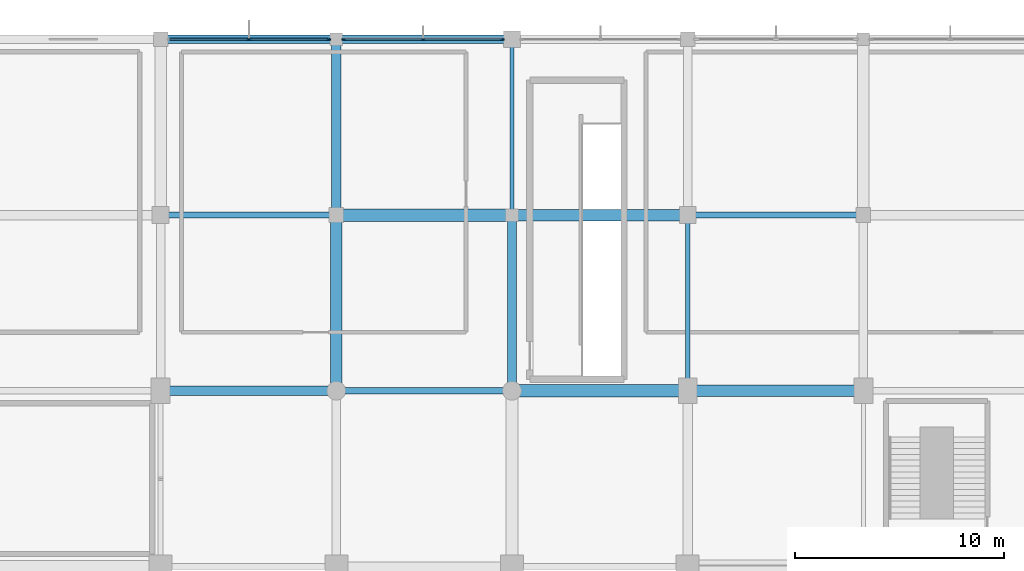
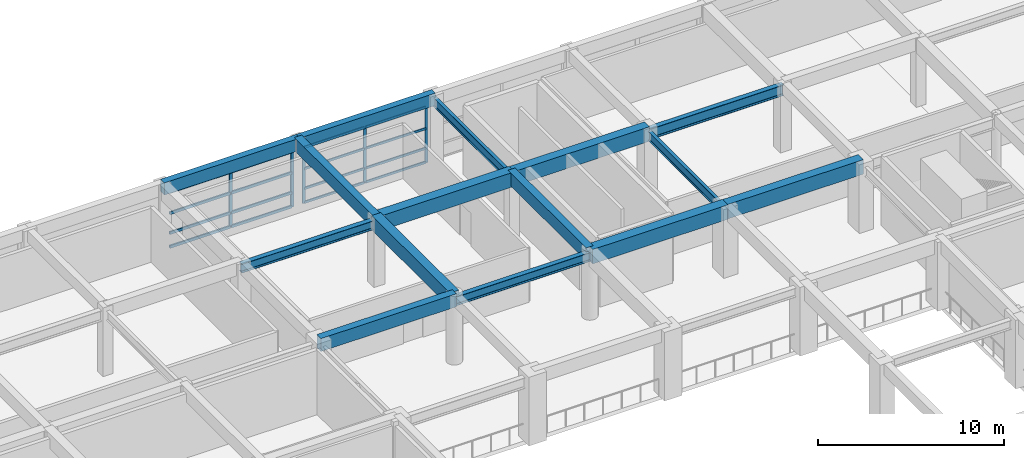
# One storey, part 23 of 56: 21 members, 15 beams, 2 elements without a shape of their own.
"""IFC4 building model written with IfcOpenShell, lengths in metres."""

from ifc_helpers import new_model, si_unit, direction, frame, origin, origin_2d, place, context, subcontext, project, spatial, rectangle, i_section, extrude, material, material_profile, profile_set, type_object, element, aggregate, save


model = new_model("IFC4")

# Units and contexts
model_context = context("Model", 3, precision=1e-05, world=origin(), true_north=direction((0.0, 1.0)))
body_context = subcontext(model_context, "Body", "Model", "MODEL_VIEW")
ifc_project = project(units=[si_unit("LENGTHUNIT", "METRE"), si_unit("AREAUNIT", "SQUARE_METRE"), si_unit("VOLUMEUNIT", "CUBIC_METRE"), si_unit("PLANEANGLEUNIT", "RADIAN"), si_unit("MASSUNIT", "GRAM", prefix="KILO")], contexts=[model_context])

# Site, building, storey
site_placement = place(None, origin())
site = spatial("IfcSite", under=ifc_project, at=site_placement, CompositionType="ELEMENT")
building_placement = place(site_placement, origin())
building = spatial("IfcBuilding", under=site, at=building_placement, Name="Xuanlan Plaza Opera House", CompositionType="ELEMENT")
storey_placement = place(building_placement, frame((0.0, 0.0, 18.89990234375)))
storey = spatial("IfcBuildingStorey", under=building, at=storey_placement, Name="L04", CompositionType="ELEMENT", Elevation=18.89990234375)

# Curtain wall, members
ifc_material_1 = material(Name="Anodised Aluminium 6063-T6 and Low-E Glass", Category="aluminium")
curtain_wall_type_1 = type_object("IfcCurtainWallType", Name="ENV-CW-CW-05", PredefinedType="USERDEFINED", material=ifc_material_1)
curtain_wall_1_placement = place(storey_placement, origin())
curtain_wall_1 = element("IfcCurtainWall", 1, at=curtain_wall_1_placement, inside=storey, type_object=curtain_wall_type_1, Name="Acoustic Glazed Wall L04-036", ObjectType="ACOUSTIC GLAZED WALL", PredefinedType="USERDEFINED")
ifc_material_2 = material(Name="Anodised Aluminium 6063-T6", Category="aluminium")
ifc_material_profile_1 = material_profile(ifc_material_2, rectangle(XDim=0.070068359375, YDim=0.179931640625, at=origin_2d()), Name="ALU-M 70x180")
ifc_profile_set_1 = profile_set([ifc_material_profile_1], Name="Anodised Aluminium 6063-T6")
member_type_1 = type_object("IfcMemberType", Name="ENV-CWM-02", PredefinedType="MULLION", material=ifc_profile_set_1)
member_1_placement = place(storey_placement, frame((83.544921875, 100.800048828125, 0.0), z_axis=(0.0, 0.0, 1.0), x_axis=(0.0, -1.0, 0.0)))
member_1 = element("IfcMember", 2, at=member_1_placement, type_object=member_type_1, Name="CW-05 mullion 1", PredefinedType="MULLION", context=body_context, shape_type="SweptSolid", body=[
    extrude(rectangle(XDim=0.070068359375, YDim=0.179931640625, at=origin_2d()), origin(), (0.0, 0.0, 1.0), 3.68017578125),
])
member_2_placement = place(storey_placement, frame((79.75, 100.800048828125, 0.0), z_axis=(0.0, 0.0, 1.0), x_axis=(0.0, -1.0, 0.0)))
member_2 = element("IfcMember", 3, at=member_2_placement, type_object=member_type_1, Name="CW-05 mullion 2", PredefinedType="MULLION", context=body_context, shape_type="SweptSolid", body=[
    extrude(rectangle(XDim=0.070068359375, YDim=0.179931640625, at=origin_2d()), origin(), (0.0, 0.0, 1.0), 3.68017578125),
])
member_3_placement = place(storey_placement, frame((75.955078125, 100.800048828125, 0.0), z_axis=(0.0, 0.0, 1.0), x_axis=(0.0, -1.0, 0.0)))
member_3 = element("IfcMember", 4, at=member_3_placement, type_object=member_type_1, Name="CW-05 mullion 3", PredefinedType="MULLION", context=body_context, shape_type="SweptSolid", body=[
    extrude(rectangle(XDim=0.070068359375, YDim=0.179931640625, at=origin_2d()), origin(), (0.0, 0.0, 1.0), 3.68017578125),
])

curtain_wall_type_2 = type_object("IfcCurtainWallType", Name="ENV-CW-CW-06", PredefinedType="USERDEFINED", material=ifc_material_1)
curtain_wall_2_placement = place(storey_placement, origin())
curtain_wall_2 = element("IfcCurtainWall", 5, at=curtain_wall_2_placement, inside=storey, type_object=curtain_wall_type_2, Name="Acoustic Glazed Wall L04-037", ObjectType="ACOUSTIC GLAZED WALL", PredefinedType="USERDEFINED")
ifc_material_profile_2 = material_profile(ifc_material_2, rectangle(XDim=0.074951171875, YDim=0.199951171875, at=origin_2d()), Name="ALU-M 75x200")
ifc_profile_set_2 = profile_set([ifc_material_profile_2], Name="Anodised Aluminium 6063-T6")
member_type_2 = type_object("IfcMemberType", Name="ENV-CWM-03", PredefinedType="MULLION", material=ifc_profile_set_2)
member_4_placement = place(storey_placement, frame((75.242431640625, 100.800048828125, 0.0), z_axis=(0.0, 0.0, 1.0), x_axis=(0.0, -1.0, 0.0)))
member_4 = element("IfcMember", 6, at=member_4_placement, type_object=member_type_2, Name="CW-06 mullion 1", PredefinedType="MULLION", context=body_context, shape_type="SweptSolid", body=[
    extrude(rectangle(XDim=0.074951171875, YDim=0.199951171875, at=origin_2d()), origin(), (0.0, 0.0, 1.0), 3.68017578125),
])
member_5_placement = place(storey_placement, frame((71.425048828125, 100.800048828125, 0.0), z_axis=(0.0, 0.0, 1.0), x_axis=(0.0, -1.0, 0.0)))
member_5 = element("IfcMember", 7, at=member_5_placement, type_object=member_type_2, Name="CW-06 mullion 2", PredefinedType="MULLION", context=body_context, shape_type="SweptSolid", body=[
    extrude(rectangle(XDim=0.074951171875, YDim=0.199951171875, at=origin_2d()), origin(), (0.0, 0.0, 1.0), 3.68017578125),
])

# Member
ifc_material_profile_3 = material_profile(ifc_material_2, rectangle(XDim=0.074951171875, YDim=0.14990234375, at=origin_2d()), Name="ALU-T 75x150")
ifc_profile_set_3 = profile_set([ifc_material_profile_3], Name="Anodised Aluminium 6063-T6")
member_type_3 = type_object("IfcMemberType", Name="ENV-CWT-03", PredefinedType="USERDEFINED", material=ifc_profile_set_3)
member_6_placement = place(storey_placement, frame((83.510009765625, 100.800048828125, 0.03759765625), z_axis=(-1.0, 0.0, 0.0), x_axis=(0.0, -1.0, 0.0)))
member_6 = element("IfcMember", 8, at=member_6_placement, type_object=member_type_3, Name="CW-05 transom 1.1", ObjectType="TRANSOM", PredefinedType="USERDEFINED", context=body_context, shape_type="SweptSolid", body=[
    extrude(rectangle(XDim=0.074951171875, YDim=0.14990234375, at=origin_2d()), origin(), (0.0, 0.0, 1.0), 3.72509765625),
])

member_7_placement = place(storey_placement, frame((83.510009765625, 100.800048828125, 0.9501953125), z_axis=(-1.0, 0.0, 0.0), x_axis=(0.0, -1.0, 0.0)))
member_7 = element("IfcMember", 9, at=member_7_placement, type_object=member_type_3, Name="CW-05 transom 1.2", ObjectType="TRANSOM", PredefinedType="USERDEFINED", context=body_context, shape_type="SweptSolid", body=[
    extrude(rectangle(XDim=0.074951171875, YDim=0.14990234375, at=origin_2d()), origin(), (0.0, 0.0, 1.0), 3.72509765625),
])

member_8_placement = place(storey_placement, frame((83.510009765625, 100.800048828125, 2.25), z_axis=(-1.0, 0.0, 0.0), x_axis=(0.0, -1.0, 0.0)))
member_8 = element("IfcMember", 10, at=member_8_placement, type_object=member_type_3, Name="CW-05 transom 1.3", ObjectType="TRANSOM", PredefinedType="USERDEFINED", context=body_context, shape_type="SweptSolid", body=[
    extrude(rectangle(XDim=0.074951171875, YDim=0.14990234375, at=origin_2d()), origin(), (0.0, 0.0, 1.0), 3.72509765625),
])

member_9_placement = place(storey_placement, frame((83.510009765625, 100.800048828125, 3.642578125), z_axis=(-1.0, 0.0, 0.0), x_axis=(0.0, -1.0, 0.0)))
member_9 = element("IfcMember", 11, at=member_9_placement, type_object=member_type_3, Name="CW-05 transom 1.4", ObjectType="TRANSOM", PredefinedType="USERDEFINED", context=body_context, shape_type="SweptSolid", body=[
    extrude(rectangle(XDim=0.074951171875, YDim=0.14990234375, at=origin_2d()), origin(), (0.0, 0.0, 1.0), 3.72509765625),
])

member_10_placement = place(storey_placement, frame((79.715087890625, 100.800048828125, 0.03759765625), z_axis=(-1.0, 0.0, 0.0), x_axis=(0.0, -1.0, 0.0)))
member_10 = element("IfcMember", 12, at=member_10_placement, type_object=member_type_3, Name="CW-05 transom 2.1", ObjectType="TRANSOM", PredefinedType="USERDEFINED", context=body_context, shape_type="SweptSolid", body=[
    extrude(rectangle(XDim=0.074951171875, YDim=0.14990234375, at=origin_2d()), origin(), (0.0, 0.0, 1.0), 3.72509765625),
])

member_11_placement = place(storey_placement, frame((79.715087890625, 100.800048828125, 0.9501953125), z_axis=(-1.0, 0.0, 0.0), x_axis=(0.0, -1.0, 0.0)))
member_11 = element("IfcMember", 13, at=member_11_placement, type_object=member_type_3, Name="CW-05 transom 2.2", ObjectType="TRANSOM", PredefinedType="USERDEFINED", context=body_context, shape_type="SweptSolid", body=[
    extrude(rectangle(XDim=0.074951171875, YDim=0.14990234375, at=origin_2d()), origin(), (0.0, 0.0, 1.0), 3.72509765625),
])

member_12_placement = place(storey_placement, frame((79.715087890625, 100.800048828125, 2.25), z_axis=(-1.0, 0.0, 0.0), x_axis=(0.0, -1.0, 0.0)))
member_12 = element("IfcMember", 14, at=member_12_placement, type_object=member_type_3, Name="CW-05 transom 2.3", ObjectType="TRANSOM", PredefinedType="USERDEFINED", context=body_context, shape_type="SweptSolid", body=[
    extrude(rectangle(XDim=0.074951171875, YDim=0.14990234375, at=origin_2d()), origin(), (0.0, 0.0, 1.0), 3.72509765625),
])

member_13_placement = place(storey_placement, frame((79.715087890625, 100.800048828125, 3.642578125), z_axis=(-1.0, 0.0, 0.0), x_axis=(0.0, -1.0, 0.0)))
member_13 = element("IfcMember", 15, at=member_13_placement, type_object=member_type_3, Name="CW-05 transom 2.4", ObjectType="TRANSOM", PredefinedType="USERDEFINED", context=body_context, shape_type="SweptSolid", body=[
    extrude(rectangle(XDim=0.074951171875, YDim=0.14990234375, at=origin_2d()), origin(), (0.0, 0.0, 1.0), 3.72509765625),
])

aggregate(curtain_wall_1, [member_1, member_2, member_3, member_6, member_7, member_8, member_9, member_10, member_11, member_12, member_13])

ifc_material_profile_4 = material_profile(ifc_material_2, rectangle(XDim=0.090087890625, YDim=0.179931640625, at=origin_2d()), Name="ALU-T 90x180")
ifc_profile_set_4 = profile_set([ifc_material_profile_4], Name="Anodised Aluminium 6063-T6")
member_type_4 = type_object("IfcMemberType", Name="ENV-CWT-05", PredefinedType="USERDEFINED", material=ifc_profile_set_4)
member_14_placement = place(storey_placement, frame((75.205078125, 100.800048828125, 0.045166015625), z_axis=(-1.0, 0.0, 0.0), x_axis=(0.0, -1.0, 0.0)))
member_14 = element("IfcMember", 16, at=member_14_placement, type_object=member_type_4, Name="CW-06 transom 1.1", ObjectType="TRANSOM", PredefinedType="USERDEFINED", context=body_context, shape_type="SweptSolid", body=[
    extrude(rectangle(XDim=0.090087890625, YDim=0.179931640625, at=origin_2d()), origin(), (0.0, 0.0, 1.0), 3.74267578125),
])

member_15_placement = place(storey_placement, frame((75.205078125, 100.800048828125, 0.9501953125), z_axis=(-1.0, 0.0, 0.0), x_axis=(0.0, -1.0, 0.0)))
member_15 = element("IfcMember", 17, at=member_15_placement, type_object=member_type_4, Name="CW-06 transom 1.2", ObjectType="TRANSOM", PredefinedType="USERDEFINED", context=body_context, shape_type="SweptSolid", body=[
    extrude(rectangle(XDim=0.090087890625, YDim=0.179931640625, at=origin_2d()), origin(), (0.0, 0.0, 1.0), 3.74267578125),
])

member_16_placement = place(storey_placement, frame((75.205078125, 100.800048828125, 2.25), z_axis=(-1.0, 0.0, 0.0), x_axis=(0.0, -1.0, 0.0)))
member_16 = element("IfcMember", 18, at=member_16_placement, type_object=member_type_4, Name="CW-06 transom 1.3", ObjectType="TRANSOM", PredefinedType="USERDEFINED", context=body_context, shape_type="SweptSolid", body=[
    extrude(rectangle(XDim=0.090087890625, YDim=0.179931640625, at=origin_2d()), origin(), (0.0, 0.0, 1.0), 3.74267578125),
])

member_17_placement = place(storey_placement, frame((75.205078125, 100.800048828125, 3.635009765625), z_axis=(-1.0, 0.0, 0.0), x_axis=(0.0, -1.0, 0.0)))
member_17 = element("IfcMember", 19, at=member_17_placement, type_object=member_type_4, Name="CW-06 transom 1.4", ObjectType="TRANSOM", PredefinedType="USERDEFINED", context=body_context, shape_type="SweptSolid", body=[
    extrude(rectangle(XDim=0.090087890625, YDim=0.179931640625, at=origin_2d()), origin(), (0.0, 0.0, 1.0), 3.74267578125),
])

member_18_placement = place(storey_placement, frame((71.387451171875, 100.800048828125, 0.045166015625), z_axis=(-1.0, 0.0, 0.0), x_axis=(0.0, -1.0, 0.0)))
member_18 = element("IfcMember", 20, at=member_18_placement, type_object=member_type_4, Name="CW-06 transom 2.1", ObjectType="TRANSOM", PredefinedType="USERDEFINED", context=body_context, shape_type="SweptSolid", body=[
    extrude(rectangle(XDim=0.090087890625, YDim=0.179931640625, at=origin_2d()), origin(), (0.0, 0.0, 1.0), 3.742431640625),
])

member_19_placement = place(storey_placement, frame((71.387451171875, 100.800048828125, 0.9501953125), z_axis=(-1.0, 0.0, 0.0), x_axis=(0.0, -1.0, 0.0)))
member_19 = element("IfcMember", 21, at=member_19_placement, type_object=member_type_4, Name="CW-06 transom 2.2", ObjectType="TRANSOM", PredefinedType="USERDEFINED", context=body_context, shape_type="SweptSolid", body=[
    extrude(rectangle(XDim=0.090087890625, YDim=0.179931640625, at=origin_2d()), origin(), (0.0, 0.0, 1.0), 3.742431640625),
])

member_20_placement = place(storey_placement, frame((71.387451171875, 100.800048828125, 2.25), z_axis=(-1.0, 0.0, 0.0), x_axis=(0.0, -1.0, 0.0)))
member_20 = element("IfcMember", 22, at=member_20_placement, type_object=member_type_4, Name="CW-06 transom 2.3", ObjectType="TRANSOM", PredefinedType="USERDEFINED", context=body_context, shape_type="SweptSolid", body=[
    extrude(rectangle(XDim=0.090087890625, YDim=0.179931640625, at=origin_2d()), origin(), (0.0, 0.0, 1.0), 3.742431640625),
])

member_21_placement = place(storey_placement, frame((71.387451171875, 100.800048828125, 3.635009765625), z_axis=(-1.0, 0.0, 0.0), x_axis=(0.0, -1.0, 0.0)))
member_21 = element("IfcMember", 23, at=member_21_placement, type_object=member_type_4, Name="CW-06 transom 2.4", ObjectType="TRANSOM", PredefinedType="USERDEFINED", context=body_context, shape_type="SweptSolid", body=[
    extrude(rectangle(XDim=0.090087890625, YDim=0.179931640625, at=origin_2d()), origin(), (0.0, 0.0, 1.0), 3.742431640625),
])

aggregate(curtain_wall_2, [member_4, member_5, member_14, member_15, member_16, member_17, member_18, member_19, member_20, member_21])

# Beams
ifc_material_3 = material(Name="Concrete C50", Category="concrete")
ifc_material_profile_5 = material_profile(ifc_material_3, rectangle(XDim=0.60009765625, YDim=0.949951171875, at=origin_2d()), Name="RC-BM 600x950")
ifc_profile_set_5 = profile_set([ifc_material_profile_5], Name="Concrete C50")
beam_type_1 = type_object("IfcBeamType", Name="STR-BM-B-01", PredefinedType="BEAM", material=ifc_profile_set_5)
for number, where, z_axis, x_axis, name in (
    (24, (84.0, 84.0, 4.025146484375), (1.0, 0.0, 0.0), (0.0, 1.0, 0.0), "Grid Beam X L04 11-12/K"),
    (25, (75.60009765625, 92.39990234375, 4.025146484375), (1.0, 0.0, 0.0), (0.0, 1.0, 0.0), "Grid Beam X L04 10-11/L"),
):
    element("IfcBeam", number, at=place(storey_placement, frame(where, z_axis=z_axis, x_axis=x_axis)), inside=storey, type_object=beam_type_1, Name=name, PredefinedType="BEAM", context=body_context, shape_type="SweptSolid", body=[
        extrude(rectangle(XDim=0.60009765625, YDim=0.949951171875, at=origin_2d()), origin(), (0.0, 0.0, 1.0), 8.39990234375),
    ])
ifc_material_profile_6 = material_profile(ifc_material_3, rectangle(XDim=0.550048828125, YDim=0.949951171875, at=origin_2d()), Name="RC-BM 550x950")
ifc_profile_set_6 = profile_set([ifc_material_profile_6], Name="Concrete C50")
beam_type_2 = type_object("IfcBeamType", Name="STR-BM-B-02", PredefinedType="BEAM", material=ifc_profile_set_6)
beam_1_placement = place(storey_placement, frame((92.39990234375, 84.0, 4.025146484375), z_axis=(1.0, 0.0, 0.0), x_axis=(0.0, 1.0, 0.0)))
element("IfcBeam", 26, at=beam_1_placement, inside=storey, type_object=beam_type_2, Name="Grid Beam X L04 12-13/K", PredefinedType="BEAM", context=body_context, shape_type="SweptSolid", body=[
    extrude(rectangle(XDim=0.550048828125, YDim=0.949951171875, at=origin_2d()), origin(), (0.0, 0.0, 1.0), 8.400146484375),
])
for number, where, z_axis, x_axis, name in (
    (27, (84.0, 92.39990234375, 4.025146484375), (1.0, 0.0, 0.0), (0.0, 1.0, 0.0), "Grid Beam X L04 11-12/L"),
    (28, (75.60009765625, 84.0, 4.025146484375), (0.0, 1.0, 0.0), (-1.0, 0.0, 0.0), "Grid Beam Y L04 10/K-L"),
):
    element("IfcBeam", number, at=place(storey_placement, frame(where, z_axis=z_axis, x_axis=x_axis)), inside=storey, type_object=beam_type_2, Name=name, PredefinedType="BEAM", context=body_context, shape_type="SweptSolid", body=[
        extrude(rectangle(XDim=0.550048828125, YDim=0.949951171875, at=origin_2d()), origin(), (0.0, 0.0, 1.0), 8.39990234375),
    ])
ifc_material_4 = material(Name="Concrete C40", Category="concrete")
ifc_material_profile_7 = material_profile(ifc_material_4, rectangle(XDim=0.449951171875, YDim=0.85009765625, at=origin_2d()), Name="RC-BM 450x850")
ifc_profile_set_7 = profile_set([ifc_material_profile_7], Name="Concrete C40")
beam_type_3 = type_object("IfcBeamType", Name="STR-BM-B-04", PredefinedType="BEAM", material=ifc_profile_set_7)
for number, where, z_axis, x_axis, name in (
    (29, (67.199951171875, 84.0, 4.0751953125), (1.0, 0.0, 0.0), (0.0, 1.0, 0.0), "Grid Beam X L04 9-10/K"),
    (30, (75.60009765625, 92.39990234375, 4.0751953125), (0.0, 1.0, 0.0), (-1.0, 0.0, 0.0), "Grid Beam Y L04 10/L-M"),
):
    element("IfcBeam", number, at=place(storey_placement, frame(where, z_axis=z_axis, x_axis=x_axis)), inside=storey, type_object=beam_type_3, Name=name, PredefinedType="BEAM", context=body_context, shape_type="SweptSolid", body=[
        extrude(rectangle(XDim=0.449951171875, YDim=0.85009765625, at=origin_2d()), origin(), (0.0, 0.0, 1.0), 8.400146484375),
    ])
beam_2_placement = place(storey_placement, frame((84.0, 84.0, 4.0751953125), z_axis=(0.0, 1.0, 0.0), x_axis=(-1.0, 0.0, 0.0)))
element("IfcBeam", 31, at=beam_2_placement, inside=storey, type_object=beam_type_3, Name="Grid Beam Y L04 11/K-L", PredefinedType="BEAM", context=body_context, shape_type="SweptSolid", body=[
    extrude(rectangle(XDim=0.449951171875, YDim=0.85009765625, at=origin_2d()), origin(), (0.0, 0.0, 1.0), 8.39990234375),
])
ifc_material_5 = material(Name="Steel Q355B", Category="steel")
ifc_material_profile_8 = material_profile(ifc_material_5, i_section(OverallWidth=0.300048828125, OverallDepth=0.699951171875, WebThickness=0.012939453125, FlangeThickness=0.02392578125, FilletRadius=0.02392578125, at=origin_2d()), Name="HN 700x300x13x24")
ifc_profile_set_8 = profile_set([ifc_material_profile_8], Name="Steel Q355B")
beam_type_4 = type_object("IfcBeamType", Name="STR-BM-SB-03", PredefinedType="BEAM", material=ifc_profile_set_8)
beam_3_placement = place(storey_placement, frame((92.39990234375, 92.39990234375, 3.885009765625), z_axis=(1.0, 0.0, 0.0), x_axis=(0.0, 1.0, 0.0)))
element("IfcBeam", 32, at=beam_3_placement, inside=storey, type_object=beam_type_4, Name="Grid Beam X L04 12-13/L", PredefinedType="BEAM", context=body_context, shape_type="SweptSolid", body=[
    extrude(i_section(OverallWidth=0.300048828125, OverallDepth=0.699951171875, WebThickness=0.012939453125, FlangeThickness=0.02392578125, FilletRadius=0.02392578125, at=origin_2d()), origin(), (0.0, 0.0, 1.0), 8.400146484375),
])
ifc_material_profile_9 = material_profile(ifc_material_5, i_section(OverallWidth=0.199951171875, OverallDepth=0.60009765625, WebThickness=0.010986328125, FlangeThickness=0.01708984375, FilletRadius=0.02197265625, at=origin_2d()), Name="HN 600x200x11x17")
ifc_profile_set_9 = profile_set([ifc_material_profile_9], Name="Steel Q355B")
beam_type_5 = type_object("IfcBeamType", Name="STR-BM-SB-04", PredefinedType="BEAM", material=ifc_profile_set_9)
beam_4_placement = place(storey_placement, frame((84.0, 92.39990234375, 3.93505859375), z_axis=(0.0, 1.0, 0.0), x_axis=(-1.0, 0.0, 0.0)))
element("IfcBeam", 33, at=beam_4_placement, inside=storey, type_object=beam_type_5, Name="Grid Beam Y L04 11/L-M", PredefinedType="BEAM", context=body_context, shape_type="SweptSolid", body=[
    extrude(i_section(OverallWidth=0.199951171875, OverallDepth=0.60009765625, WebThickness=0.010986328125, FlangeThickness=0.01708984375, FilletRadius=0.02197265625, at=origin_2d()), origin(), (0.0, 0.0, 1.0), 8.400146484375),
])
beam_5_placement = place(storey_placement, frame((92.39990234375, 84.0, 3.93505859375), z_axis=(0.0, 1.0, 0.0), x_axis=(-1.0, 0.0, 0.0)))
element("IfcBeam", 34, at=beam_5_placement, inside=storey, type_object=beam_type_5, Name="Grid Beam Y L04 12/K-L", PredefinedType="BEAM", context=body_context, shape_type="SweptSolid", body=[
    extrude(i_section(OverallWidth=0.199951171875, OverallDepth=0.60009765625, WebThickness=0.010986328125, FlangeThickness=0.01708984375, FilletRadius=0.02197265625, at=origin_2d()), origin(), (0.0, 0.0, 1.0), 8.39990234375),
])
ifc_material_profile_10 = material_profile(ifc_material_5, i_section(OverallWidth=0.300048828125, OverallDepth=0.587890625, WebThickness=0.011962890625, FlangeThickness=0.02001953125, FilletRadius=0.02392578125, at=origin_2d()), Name="HM 588x300x12x20")
ifc_profile_set_10 = profile_set([ifc_material_profile_10], Name="Steel Q355B")
beam_type_6 = type_object("IfcBeamType", Name="STR-BM-SB-06", PredefinedType="BEAM", material=ifc_profile_set_10)
beam_6_placement = place(storey_placement, frame((75.60009765625, 84.0, 3.941162109375), z_axis=(1.0, 0.0, 0.0), x_axis=(0.0, 1.0, 0.0)))
element("IfcBeam", 35, at=beam_6_placement, inside=storey, type_object=beam_type_6, Name="Grid Beam X L04 10-11/K", PredefinedType="BEAM", context=body_context, shape_type="SweptSolid", body=[
    extrude(i_section(OverallWidth=0.300048828125, OverallDepth=0.587890625, WebThickness=0.011962890625, FlangeThickness=0.02001953125, FilletRadius=0.02392578125, at=origin_2d()), origin(), (0.0, 0.0, 1.0), 8.39990234375),
])
beam_7_placement = place(storey_placement, frame((67.199951171875, 92.39990234375, 3.941162109375), z_axis=(1.0, 0.0, 0.0), x_axis=(0.0, 1.0, 0.0)))
element("IfcBeam", 36, at=beam_7_placement, inside=storey, type_object=beam_type_6, Name="Grid Beam X L04 9-10/L", PredefinedType="BEAM", context=body_context, shape_type="SweptSolid", body=[
    extrude(i_section(OverallWidth=0.300048828125, OverallDepth=0.587890625, WebThickness=0.011962890625, FlangeThickness=0.02001953125, FilletRadius=0.02392578125, at=origin_2d()), origin(), (0.0, 0.0, 1.0), 8.400146484375),
])
ifc_material_profile_11 = material_profile(ifc_material_4, rectangle(XDim=0.39990234375, YDim=0.800048828125, at=origin_2d()), Name="RC-SPD 400x800")
ifc_profile_set_11 = profile_set([ifc_material_profile_11], Name="Concrete C40")
beam_type_7 = type_object("IfcBeamType", Name="STR-BM-SP-01", PredefinedType="SPANDREL", material=ifc_profile_set_11)
beam_8_placement = place(storey_placement, frame((67.199951171875, 100.800048828125, 4.10009765625), z_axis=(1.0, 0.0, 0.0), x_axis=(0.0, 1.0, 0.0)))
element("IfcBeam", 37, at=beam_8_placement, inside=storey, type_object=beam_type_7, Name="Grid Beam X L04 9-10/M", PredefinedType="SPANDREL", context=body_context, shape_type="SweptSolid", body=[
    extrude(rectangle(XDim=0.39990234375, YDim=0.800048828125, at=origin_2d()), origin(), (0.0, 0.0, 1.0), 8.400146484375),
])
beam_9_placement = place(storey_placement, frame((75.60009765625, 100.800048828125, 4.10009765625), z_axis=(1.0, 0.0, 0.0), x_axis=(0.0, 1.0, 0.0)))
element("IfcBeam", 38, at=beam_9_placement, inside=storey, type_object=beam_type_7, Name="Grid Beam X L04 10-11/M", PredefinedType="SPANDREL", context=body_context, shape_type="SweptSolid", body=[
    extrude(rectangle(XDim=0.39990234375, YDim=0.800048828125, at=origin_2d()), origin(), (0.0, 0.0, 1.0), 8.39990234375),
])

save(model, "model.ifc")
